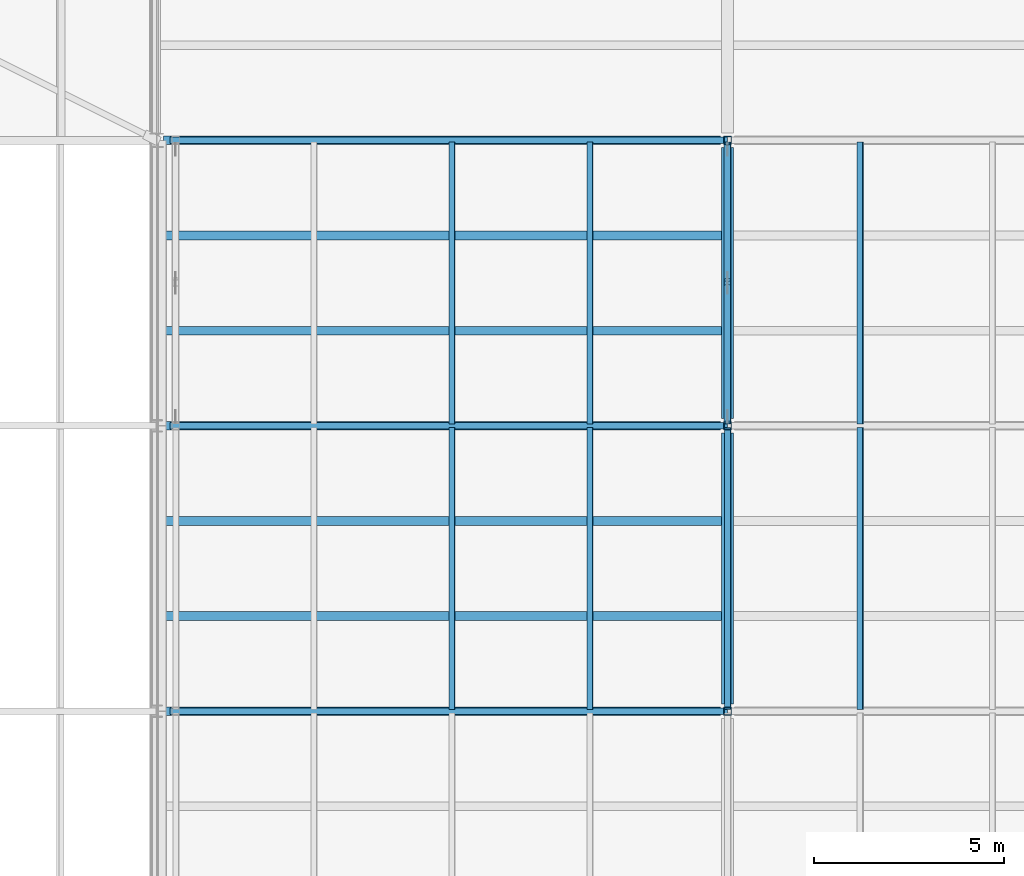
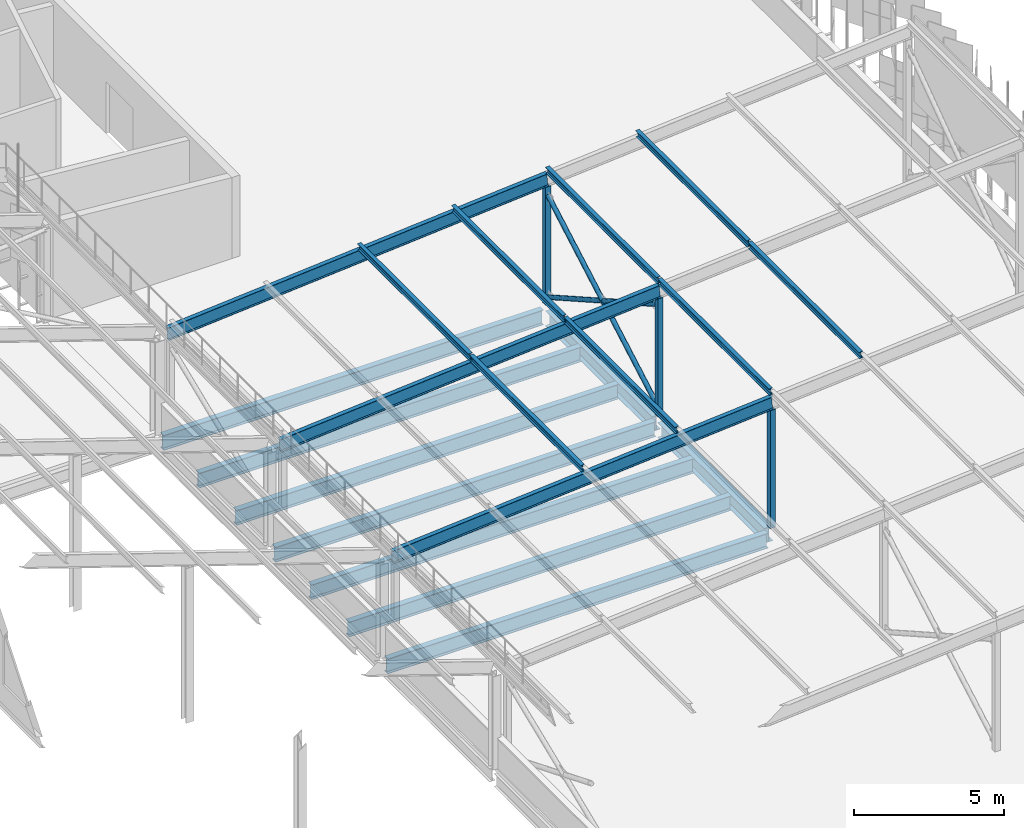
# One storey, part 75 of 483: 17 members, 9 beams.
"""IFC4 building model written with IfcOpenShell, lengths in metres."""

from ifc_helpers import new_model, si_unit, direction, frame, origin, origin_2d, place, context, subcontext, project, spatial, hollow_rectangle, hollow_circle, i_section, extrude, material, material_profile, profile_set, type_object, element, save


model = new_model("IFC4")

# Units and contexts
model_context = context("Model", 3, precision=1e-05, world=origin(), true_north=direction((0.0, 1.0)))
body_context = subcontext(model_context, "Body", "Model", "MODEL_VIEW")
ifc_project = project(units=[si_unit("LENGTHUNIT", "METRE"), si_unit("AREAUNIT", "SQUARE_METRE"), si_unit("VOLUMEUNIT", "CUBIC_METRE"), si_unit("PLANEANGLEUNIT", "RADIAN"), si_unit("MASSUNIT", "GRAM", prefix="KILO")], contexts=[model_context])

# Site, building, storey
site_placement = place(None, origin())
site = spatial("IfcSite", under=ifc_project, at=site_placement, CompositionType="ELEMENT")
building_placement = place(site_placement, origin())
building = spatial("IfcBuilding", under=site, at=building_placement, Name="Parallax Yard Mobility Hub", CompositionType="ELEMENT")
storey_placement = place(building_placement, frame((0.0, 0.0, 13.199951171875)))
storey = spatial("IfcBuildingStorey", under=building, at=storey_placement, Name="L04", CompositionType="ELEMENT", Elevation=13.199951171875)

# Members
ifc_material_1 = material(Name="Steel ASTM A500 Gr C", Category="steel")
ifc_material_profile_1 = material_profile(ifc_material_1, hollow_circle(Radius=0.0888671875, WallThickness=0.0078125, at=origin_2d()), Name="HSS177.8x7.9")
ifc_profile_set_1 = profile_set([ifc_material_profile_1], Name="Steel ASTM A500 Gr C")
member_type_1 = type_object("IfcMemberType", Name="Canopy brace HSS177.8x7.9", PredefinedType="BRACE", material=ifc_profile_set_1)
member_placement = place(storey_placement, frame((210.0, 60.086669921875, 0.300048828125), z_axis=(0.0, 0.870117516531, 0.492844303432), x_axis=(-1.0, 0.0, 0.0)))
element("IfcMember", 1, at=member_placement, inside=storey, type_object=member_type_1, Name="Canopy X brace RB bay E-A bay 4 diagonal A", PredefinedType="BRACE", context=body_context, shape_type="SweptSolid", body=[
    extrude(hollow_circle(Radius=0.0888671875, WallThickness=0.0078125, at=origin_2d()), origin(), (0.0, 0.0, 1.0), 8.42041015625),
])
for number, where, z_axis, x_axis, name in (
    (2, (210.0, 67.413330078125, 0.300048828125), (0.0, -0.870112904421, 0.492852446032), (1.0, 0.0, 0.0), "Canopy X brace RB bay E-A bay 4 diagonal B part 1"),
    (3, (210.0, 63.66845703125, 2.421142578125), (0.0, -0.870112904421, 0.492852446032), (1.0, 0.0, 0.0), "Canopy X brace RB bay E-A bay 4 diagonal B part 2"),
):
    element("IfcMember", number, at=place(storey_placement, frame(where, z_axis=z_axis, x_axis=x_axis)), inside=storey, type_object=member_type_1, Name=name, PredefinedType="BRACE", context=body_context, shape_type="SweptSolid", body=[
        extrude(hollow_circle(Radius=0.0888671875, WallThickness=0.0078125, at=origin_2d()), origin(), (0.0, 0.0, 1.0), 4.116455078125),
    ])
ifc_material_profile_2 = material_profile(ifc_material_1, hollow_rectangle(XDim=0.203125, YDim=0.203125, WallThickness=0.009521484375, at=origin_2d()), Name="HSS203x203x9.5")
ifc_profile_set_2 = profile_set([ifc_material_profile_2], Name="Steel ASTM A500 Gr C")
member_type_2 = type_object("IfcMemberType", Name="Canopy post HSS203x203x9.5", PredefinedType="POST", material=ifc_profile_set_2)
for number, where, z_axis, x_axis, name in (
    (4, (210.0, 52.5, 0.0), (0.0, 0.0, 1.0), (1.0, 0.0, 0.0), "Canopy post RB/E-A3"),
    (5, (210.0, 60.0, 0.0), (0.0, 0.0, 1.0), (1.0, 0.0, 0.0), "Canopy post RB/E-A4"),
    (6, (210.0, 67.5, 0.0), (0.0, 0.0, 1.0), (1.0, 0.0, 0.0), "Canopy post RB/E-A5"),
):
    element("IfcMember", number, at=place(storey_placement, frame(where, z_axis=z_axis, x_axis=x_axis)), inside=storey, type_object=member_type_2, Name=name, PredefinedType="POST", context=body_context, shape_type="SweptSolid", body=[
        extrude(hollow_rectangle(XDim=0.203125, YDim=0.203125, WallThickness=0.009521484375, at=origin_2d()), origin(), (0.0, 0.0, 1.0), 4.81005859375),
    ])
ifc_material_2 = material(Name="Steel ASTM A992", Category="steel")
ifc_material_profile_3 = material_profile(ifc_material_2, i_section(OverallWidth=0.14794921875, OverallDepth=0.26611328125, WebThickness=0.007568359375, FlangeThickness=0.012939453125, at=origin_2d()), Name="W250x45")
ifc_profile_set_3 = profile_set([ifc_material_profile_3], Name="Steel ASTM A992")
member_type_3 = type_object("IfcMemberType", Name="Canopy purlin W250x45", PredefinedType="PURLIN", material=ifc_profile_set_3)
for number, where, z_axis, x_axis, name in (
    (7, (202.760498046875, 52.5400390625, 4.882080078125), (0.0, 1.0, 0.0), (-0.996815308126, 0.0, -0.079744852409), "Canopy purlin sector E-A bay 3 line 3"),
    (8, (206.385498046875, 52.5400390625, 5.172119140625), (0.0, 1.0, 0.0), (-0.996815308126, 0.0, -0.079744852409), "Canopy purlin sector E-A bay 3 line 4"),
    (9, (210.010498046875, 52.5400390625, 5.462158203125), (0.0, 1.0, 0.0), (-0.996815308126, 0.0, -0.079744852409), "Canopy purlin sector E-A bay 3 line 5"),
    (10, (213.485595703125, 52.5400390625, 5.739990234375), (0.0, 1.0, 0.0), (-0.996815308126, 0.0, -0.079744852409), "Canopy purlin sector E-A bay 3 line 6"),
    (11, (202.760498046875, 60.0400390625, 4.882080078125), (0.0, 1.0, 0.0), (-0.996815308126, 0.0, -0.079744852409), "Canopy purlin sector E-A bay 4 line 3"),
    (12, (206.385498046875, 60.0400390625, 5.172119140625), (0.0, 1.0, 0.0), (-0.996815308126, 0.0, -0.079744852409), "Canopy purlin sector E-A bay 4 line 4"),
    (13, (210.010498046875, 60.0400390625, 5.462158203125), (0.0, 1.0, 0.0), (-0.996815308126, 0.0, -0.079744852409), "Canopy purlin sector E-A bay 4 line 5"),
    (14, (213.485595703125, 60.0400390625, 5.739990234375), (0.0, 1.0, 0.0), (-0.996815308126, 0.0, -0.079744852409), "Canopy purlin sector E-A bay 4 line 6"),
):
    element("IfcMember", number, at=place(storey_placement, frame(where, z_axis=z_axis, x_axis=x_axis)), inside=storey, type_object=member_type_3, Name=name, PredefinedType="PURLIN", context=body_context, shape_type="SweptSolid", body=[
        extrude(i_section(OverallWidth=0.14794921875, OverallDepth=0.26611328125, WebThickness=0.007568359375, FlangeThickness=0.012939453125, at=origin_2d()), origin(), (0.0, 0.0, 1.0), 7.419921875),
    ])
ifc_material_profile_4 = material_profile(ifc_material_2, i_section(OverallWidth=0.166015625, OverallDepth=0.529052734375, WebThickness=0.009765625, FlangeThickness=0.013671875, at=origin_2d()), Name="W530x74")
ifc_profile_set_4 = profile_set([ifc_material_profile_4], Name="Steel ASTM A992")
member_type_4 = type_object("IfcMemberType", Name="Canopy rafter W530x74", PredefinedType="RAFTER", material=ifc_profile_set_4)
for number, where, z_axis, x_axis, name in (
    (15, (195.37109375, 52.5, 3.89501953125), (0.996814591838, 0.0, 0.079753805543), (0.0, 1.0, 0.0), "Canopy rafter E-A3 inner span"),
    (16, (195.37109375, 60.0, 3.89501953125), (0.996814591838, 0.0, 0.079753805543), (0.0, 1.0, 0.0), "Canopy rafter E-A4 inner span"),
    (17, (195.37109375, 67.5, 3.89501953125), (0.996814591838, 0.0, 0.079753805543), (0.0, 1.0, 0.0), "Canopy rafter E-A5 inner span"),
):
    element("IfcMember", number, at=place(storey_placement, frame(where, z_axis=z_axis, x_axis=x_axis)), inside=storey, type_object=member_type_4, Name=name, PredefinedType="RAFTER", context=body_context, shape_type="SweptSolid", body=[
        extrude(i_section(OverallWidth=0.166015625, OverallDepth=0.529052734375, WebThickness=0.009765625, FlangeThickness=0.013671875, at=origin_2d()), origin(), (0.0, 0.0, 1.0), 14.69677734375),
    ])

# Beams
ifc_material_profile_5 = material_profile(ifc_material_2, i_section(OverallWidth=0.22802734375, OverallDepth=0.60205078125, WebThickness=0.010498046875, FlangeThickness=0.014892578125, FilletRadius=0.0126953125, at=origin_2d()), Name="W610x101")
ifc_profile_set_5 = profile_set([ifc_material_profile_5], Name="Steel ASTM A992")
beam_type_1 = type_object("IfcBeamType", Name="W610x101 secondary beam", PredefinedType="JOIST", material=ifc_profile_set_5)
for number, where, z_axis, x_axis, name in (
    (18, (195.1044921875, 55.0, -0.44091796875), (1.0, 0.0, 0.0), (0.0, 1.0, 0.0), "Secondary beam B3 level L04, 2.5 m north of line H of ramped parking decks, span 1"),
    (19, (195.1044921875, 62.5, -0.44091796875), (1.0, 0.0, 0.0), (0.0, 1.0, 0.0), "Secondary beam B3 level L04, 2.5 m north of line J of ramped parking decks, span 1"),
    (20, (195.1044921875, 57.5, -0.44091796875), (1.0, 0.0, 0.0), (0.0, 1.0, 0.0), "Secondary beam B3 level L04, 5 m north of line H of ramped parking decks, span 1"),
    (21, (195.1044921875, 65.0, -0.44091796875), (1.0, 0.0, 0.0), (0.0, 1.0, 0.0), "Secondary beam B3 level L04, 5 m north of line J of ramped parking decks, span 1"),
):
    element("IfcBeam", number, at=place(storey_placement, frame(where, z_axis=z_axis, x_axis=x_axis)), inside=storey, type_object=beam_type_1, Name=name, PredefinedType="JOIST", context=body_context, shape_type="SweptSolid", body=[
        extrude(i_section(OverallWidth=0.22802734375, OverallDepth=0.60205078125, WebThickness=0.010498046875, FlangeThickness=0.014892578125, FilletRadius=0.0126953125, at=origin_2d()), origin(), (0.0, 0.0, 1.0), 14.73291015625),
    ])
ifc_material_profile_6 = material_profile(ifc_material_2, i_section(OverallWidth=0.22900390625, OverallDepth=0.612060546875, WebThickness=0.011962890625, FlangeThickness=0.01953125, FilletRadius=0.0126953125, at=origin_2d()), Name="W610x125")
ifc_profile_set_6 = profile_set([ifc_material_profile_6], Name="Steel ASTM A992")
beam_type_2 = type_object("IfcBeamType", Name="W610x125 girder", PredefinedType="BEAM", material=ifc_profile_set_6)
for number, where, z_axis, x_axis, name in (
    (22, (195.153564453125, 52.5, -0.446044921875), (1.0, 0.0, 0.0), (0.0, 1.0, 0.0), "Girder G3 level L04, line H of ramped parking decks, span 1"),
    (23, (195.153564453125, 60.0, -0.446044921875), (1.0, 0.0, 0.0), (0.0, 1.0, 0.0), "Girder G3 level L04, line J of ramped parking decks, span 1"),
):
    element("IfcBeam", number, at=place(storey_placement, frame(where, z_axis=z_axis, x_axis=x_axis)), inside=storey, type_object=beam_type_2, Name=name, PredefinedType="BEAM", context=body_context, shape_type="SweptSolid", body=[
        extrude(i_section(OverallWidth=0.22900390625, OverallDepth=0.612060546875, WebThickness=0.011962890625, FlangeThickness=0.01953125, FilletRadius=0.0126953125, at=origin_2d()), origin(), (0.0, 0.0, 1.0), 14.662353515625),
    ])
beam_placement = place(storey_placement, frame((195.18408203125, 67.5, -0.446044921875), z_axis=(1.0, 0.0, 0.0), x_axis=(0.0, 1.0, 0.0)))
element("IfcBeam", 24, at=beam_placement, inside=storey, type_object=beam_type_2, Name="Girder G3 level L04, line K of ramped parking decks, span 1", PredefinedType="BEAM", context=body_context, shape_type="SweptSolid", body=[
    extrude(i_section(OverallWidth=0.22900390625, OverallDepth=0.612060546875, WebThickness=0.011962890625, FlangeThickness=0.01953125, FilletRadius=0.0126953125, at=origin_2d()), origin(), (0.0, 0.0, 1.0), 14.6318359375),
])
ifc_material_profile_7 = material_profile(ifc_material_2, i_section(OverallWidth=0.324951171875, OverallDepth=0.612060546875, WebThickness=0.0126953125, FlangeThickness=0.01904296875, FilletRadius=0.0126953125, at=origin_2d()), Name="W610x155")
ifc_profile_set_7 = profile_set([ifc_material_profile_7], Name="Steel ASTM A992")
beam_type_3 = type_object("IfcBeamType", Name="W610x155 longitudinal beam", PredefinedType="BEAM", material=ifc_profile_set_7)
for number, where, z_axis, x_axis, name in (
    (25, (210.0, 52.6865234375, -0.446044921875), (0.0, 1.0, 0.0), (-1.0, 0.0, 0.0), "Longitudinal beam SB8 level L04, line 29 of ramped parking decks, span 5"),
    (26, (210.0, 60.1865234375, -0.446044921875), (0.0, 1.0, 0.0), (-1.0, 0.0, 0.0), "Longitudinal beam SB8 level L04, line 29 of ramped parking decks, span 6"),
):
    element("IfcBeam", number, at=place(storey_placement, frame(where, z_axis=z_axis, x_axis=x_axis)), inside=storey, type_object=beam_type_3, Name=name, PredefinedType="BEAM", context=body_context, shape_type="SweptSolid", body=[
        extrude(i_section(OverallWidth=0.324951171875, OverallDepth=0.612060546875, WebThickness=0.0126953125, FlangeThickness=0.01904296875, FilletRadius=0.0126953125, at=origin_2d()), origin(), (0.0, 0.0, 1.0), 7.126953125),
    ])

save(model, "model.ifc")
